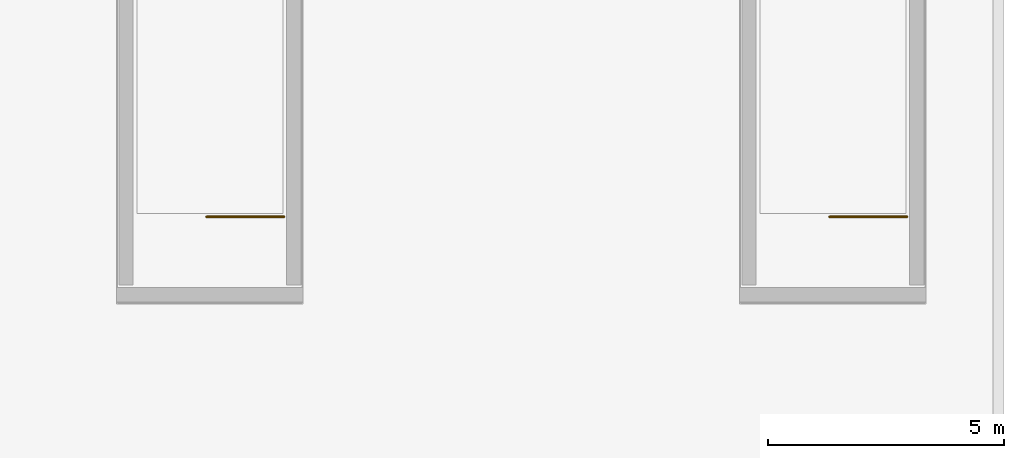
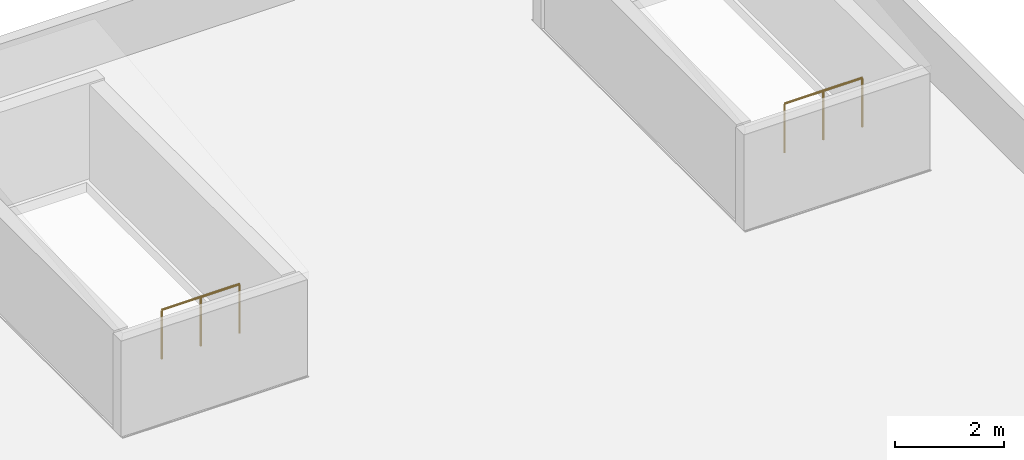
# One storey, part 2 of 2: 2 railings.
"""IFC4 building model written with IfcOpenShell, lengths in metres."""

from ifc_helpers import new_model, si_unit, direction, frame, origin, origin_2d, place, context, subcontext, project, spatial, circle, extrude, material, type_object, element, save


model = new_model("IFC4")

# Units and contexts
model_context = context("Model", 3, precision=1e-05, world=origin(), true_north=direction((0.0, 1.0)))
body_context = subcontext(model_context, "Body", "Model", "MODEL_VIEW")
ifc_project = project(units=[si_unit("LENGTHUNIT", "METRE"), si_unit("AREAUNIT", "SQUARE_METRE"), si_unit("VOLUMEUNIT", "CUBIC_METRE"), si_unit("PLANEANGLEUNIT", "RADIAN"), si_unit("MASSUNIT", "GRAM", prefix="KILO")], contexts=[model_context])

# Site, building, storey
site_placement = place(None, origin())
site = spatial("IfcSite", under=ifc_project, at=site_placement, CompositionType="ELEMENT")
building_placement = place(site_placement, origin())
building = spatial("IfcBuilding", under=site, at=building_placement, Name="Miralva Faculty of Natural Sciences", CompositionType="ELEMENT")
storey_placement = place(building_placement, frame((0.0, 0.0, 44.60009765625)))
storey = spatial("IfcBuildingStorey", under=building, at=storey_placement, Name="Roof", CompositionType="ELEMENT", Elevation=44.60009765625)

# Railings
ifc_material = material(Name="Steel S355", Category="steel")
railing_type = type_object("IfcRailingType", Name="RL-GR01", PredefinedType="GUARDRAIL", material=ifc_material)
railing_1_placement = place(storey_placement, frame((14.14990234375, 14.449951171875, 0.0)))
element("IfcRailing", 1, at=railing_1_placement, inside=storey, type_object=railing_type, Name="Stair Core C1 top well guard 1", PredefinedType="GUARDRAIL", context=body_context, shape_type="SweptSolid", body=[
    extrude(circle(Radius=0.02392578125, at=origin_2d()), frame((0.0, 0.0, 1.09619140625), z_axis=(-1.0, 0.0, 0.0), x_axis=(0.0, -1.0, 0.0)), (0.0, 0.0, 1.0), 1.64990234375),
    extrude(circle(Radius=0.02099609375, at=origin_2d()), origin(), (0.0, 0.0, 1.0), 1.072021484375),
    extrude(circle(Radius=0.02099609375, at=origin_2d()), frame((-0.824951171875, 0.0, 0.0)), (0.0, 0.0, 1.0), 1.072021484375),
    extrude(circle(Radius=0.02099609375, at=origin_2d()), frame((-1.64990234375, 0.0, 0.0)), (0.0, 0.0, 1.0), 1.072021484375),
])
railing_2_placement = place(storey_placement, frame((27.35009765625, 14.449951171875, 0.0)))
element("IfcRailing", 2, at=railing_2_placement, inside=storey, type_object=railing_type, Name="Stair Core C1B top well guard 1", PredefinedType="GUARDRAIL", context=body_context, shape_type="SweptSolid", body=[
    extrude(circle(Radius=0.02392578125, at=origin_2d()), frame((0.0, 0.0, 1.09619140625), z_axis=(-1.0, 0.0, 0.0), x_axis=(0.0, -1.0, 0.0)), (0.0, 0.0, 1.0), 1.650146484375),
    extrude(circle(Radius=0.02099609375, at=origin_2d()), origin(), (0.0, 0.0, 1.0), 1.072021484375),
    extrude(circle(Radius=0.02099609375, at=origin_2d()), frame((-0.8251953125, 0.0, 0.0)), (0.0, 0.0, 1.0), 1.072021484375),
    extrude(circle(Radius=0.02099609375, at=origin_2d()), frame((-1.650146484375, 0.0, 0.0)), (0.0, 0.0, 1.0), 1.072021484375),
])

save(model, "model.ifc")
